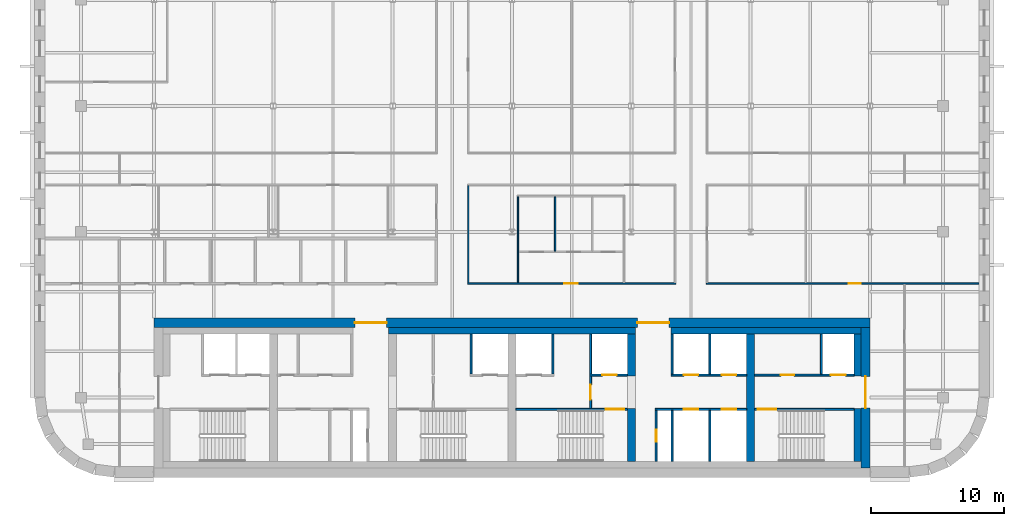
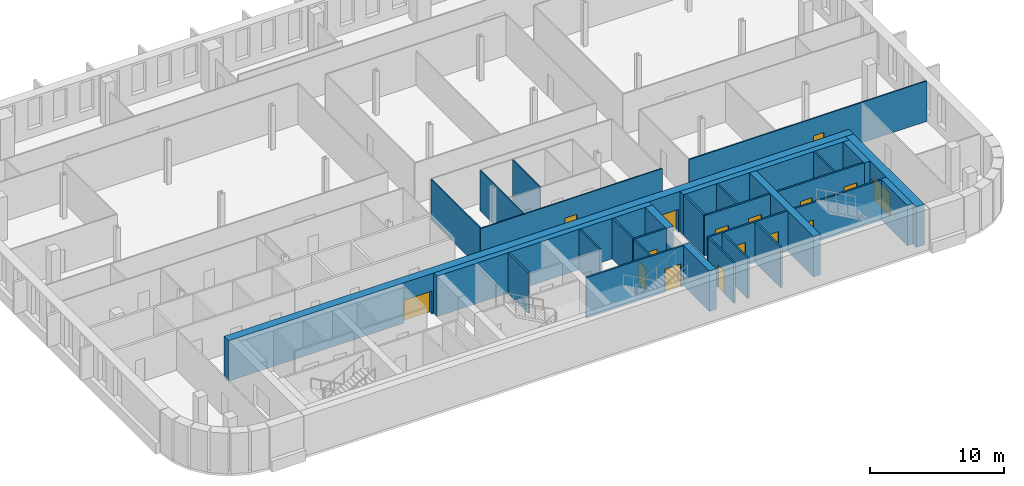
# One storey, part 8 of 15: 30 walls, 16 doors, 16 openings.
"""IFC4 building model written with IfcOpenShell, lengths in metres."""

from ifc_helpers import new_model, si_unit, direction, frame, frame_2d, origin, place, context, subcontext, project, spatial, rectangle, extrude, material, layer, layer_set, type_object, element, fill, save


model = new_model("IFC4")

# Units and contexts
model_context = context("Model", 3, precision=1e-05, world=origin(), true_north=direction((0.0, 1.0)))
body_context = subcontext(model_context, "Body", "Model", "MODEL_VIEW")
ifc_project = project(units=[si_unit("LENGTHUNIT", "METRE"), si_unit("AREAUNIT", "SQUARE_METRE"), si_unit("VOLUMEUNIT", "CUBIC_METRE"), si_unit("PLANEANGLEUNIT", "RADIAN"), si_unit("MASSUNIT", "GRAM", prefix="KILO")], contexts=[model_context])

# Site, building, storey
site_placement = place(None, origin())
site = spatial("IfcSite", under=ifc_project, at=site_placement, CompositionType="ELEMENT")
building_placement = place(site_placement, origin())
building = spatial("IfcBuilding", under=site, at=building_placement, Name="Zellij Exchange Tower", CompositionType="ELEMENT")
storey_placement = place(building_placement, frame((0.0, 0.0, 260.5)))
storey = spatial("IfcBuildingStorey", under=building, at=storey_placement, Name="L61", CompositionType="ELEMENT", Elevation=260.5)

# Walls
ifc_material_1 = material(Name="Concrete C50/60", Category="concrete")
ifc_layer_1 = layer(ifc_material_1, 0.60009765625)
ifc_layer_set_1 = layer_set([ifc_layer_1], Name="Concrete C50/60")
wall_type_1 = type_object("IfcWallType", Name="CORE-CW 600 C50/60", PredefinedType="SHEAR", material=ifc_layer_set_1)
wall_1_placement = place(storey_placement, frame((9.0, -12.800048828125, 0.0), z_axis=(0.0, 0.0, 1.0), x_axis=(0.0, 1.0, 0.0)))
element("IfcWall", 1, at=wall_1_placement, inside=storey, type_object=wall_type_1, Name="Core cross wall pier x 9 a L61", PredefinedType="SHEAR", context=body_context, shape_type="SweptSolid", body=[
    extrude(rectangle(XDim=4.0, YDim=0.60009765625, at=frame_2d((2.0, 0.0))), origin(), (0.0, 0.0, 1.0), 3.699951171875),
])
wall_2_placement = place(storey_placement, frame((9.0, -6.375, 0.0), z_axis=(0.0, 0.0, 1.0), x_axis=(0.0, 1.0, 0.0)))
element("IfcWall", 2, at=wall_2_placement, inside=storey, type_object=wall_type_1, Name="Core cross wall pier x 9 b L61", PredefinedType="SHEAR", context=body_context, shape_type="SweptSolid", body=[
    extrude(rectangle(XDim=3.175048828125, YDim=0.60009765625, at=frame_2d((1.58740234375, 0.0))), origin(), (0.0, 0.0, 1.0), 3.699951171875),
])
wall_3_placement = place(storey_placement, frame((18.0, -12.800048828125, 0.0), z_axis=(0.0, 0.0, 1.0), x_axis=(0.0, 1.0, 0.0)))
element("IfcWall", 3, at=wall_3_placement, inside=storey, type_object=wall_type_1, Name="Core cross wall x 18 L61", PredefinedType="SHEAR", context=body_context, shape_type="SweptSolid", body=[
    extrude(rectangle(XDim=9.60009765625, YDim=0.60009765625, at=frame_2d((4.800048828125, 0.0))), origin(), (0.0, 0.0, 1.0), 3.699951171875),
])
ifc_material_2 = material(Name="Concrete C30/37", Category="concrete")
ifc_layer_2 = layer(ifc_material_2, 0.5)
ifc_layer_set_2 = layer_set([ifc_layer_2], Name="Concrete C30/37")
wall_type_2 = type_object("IfcWallType", Name="CORE-LW 500 C30/37", PredefinedType="SHEAR", material=ifc_layer_set_2)
wall_4_placement = place(storey_placement, frame((-9.300048828125, -2.949951171875, 0.0), z_axis=(0.0, 0.0, 1.0), x_axis=(1.0, 0.0, 0.0)))
element("IfcWall", 4, at=wall_4_placement, inside=storey, type_object=wall_type_2, Name="Core wall lining front.1 L61", PredefinedType="SHEAR", context=body_context, shape_type="SweptSolid", body=[
    extrude(rectangle(XDim=18.60009765625, YDim=0.5, at=frame_2d((9.300048828125, 0.0))), origin(), (0.0, 0.0, 1.0), 3.699951171875),
])
wall_5_placement = place(storey_placement, frame((12.0, -2.949951171875, 0.0), z_axis=(0.0, 0.0, 1.0), x_axis=(1.0, 0.0, 0.0)))
element("IfcWall", 5, at=wall_5_placement, inside=storey, type_object=wall_type_2, Name="Core wall lining front.2 L61", PredefinedType="SHEAR", context=body_context, shape_type="SweptSolid", body=[
    extrude(rectangle(XDim=14.300048828125, YDim=0.5, at=frame_2d((7.14990234375, 0.0))), origin(), (0.0, 0.0, 1.0), 3.699951171875),
])
wall_6_placement = place(storey_placement, frame((26.050048828125, -12.800048828125, 0.0), z_axis=(0.0, 0.0, 1.0), x_axis=(0.0, 1.0, 0.0)))
element("IfcWall", 6, at=wall_6_placement, inside=storey, type_object=wall_type_2, Name="Core wall lining end e.0 L61", PredefinedType="SHEAR", context=body_context, shape_type="SweptSolid", body=[
    extrude(rectangle(XDim=4.0, YDim=0.5, at=frame_2d((2.0, 0.0))), origin(), (0.0, 0.0, 1.0), 3.699951171875),
])
wall_7_placement = place(storey_placement, frame((26.050048828125, -6.375, 0.0), z_axis=(0.0, 0.0, 1.0), x_axis=(0.0, 1.0, 0.0)))
element("IfcWall", 7, at=wall_7_placement, inside=storey, type_object=wall_type_2, Name="Core wall lining end e.1 L61", PredefinedType="SHEAR", context=body_context, shape_type="SweptSolid", body=[
    extrude(rectangle(XDim=3.175048828125, YDim=0.5, at=frame_2d((1.58740234375, 0.0))), origin(), (0.0, 0.0, 1.0), 3.699951171875),
])

# Wall, opening, door
ifc_material_3 = material(Name="Gypsum shaft wall system")
ifc_layer_3 = layer(ifc_material_3, 0.14990234375)
ifc_layer_set_3 = layer_set([ifc_layer_3], Name="Gypsum shaft wall system")
wall_type_3 = type_object("IfcWallType", Name="CORE-PW 150 Firefighting lobby wall", PredefinedType="PARTITIONING", material=ifc_layer_set_3)
wall_8_placement = place(storey_placement, frame((5.925048828125, -8.800048828125, 0.0), z_axis=(0.0, 0.0, 1.0), x_axis=(0.0, 1.0, 0.0)))
wall_8 = element("IfcWall", 8, at=wall_8_placement, inside=storey, type_object=wall_type_3, Name="Firefighting lobby wall L61", PredefinedType="PARTITIONING", context=body_context, shape_type="SweptSolid", body=[
    extrude(rectangle(XDim=2.425048828125, YDim=0.14990234375, at=frame_2d((1.21240234375, 0.0))), origin(), (0.0, 0.0, 1.0), 3.699951171875),
])
opening_1_placement = place(wall_8_placement, frame((0.662109375, 0.0, 0.0)))
opening_1 = element("IfcOpeningElement", 9, at=opening_1_placement, cuts=wall_8, Name="Opening CA-31.15", PredefinedType="OPENING", context=body_context, shape_type="SweptSolid", body=[
    extrude(rectangle(XDim=1.10009765625, YDim=2.10009765625, at=frame_2d((0.550048828125, 1.050048828125))), frame((0.0, 0.0869140625, 0.0), z_axis=(0.0, -1.0, 0.0), x_axis=(1.0, 0.0, 0.0)), (0.0, 0.0, 1.0), 0.173828125),
])
ifc_material_4 = material(Name="Hollow metal fire door")
door_type_1 = type_object("IfcDoorType", Name="CORE-D F Firefighting lobby door 1100x2100 1 HR", OperationType="NOTDEFINED", PredefinedType="DOOR", material=ifc_material_4)
door_1_placement = place(opening_1_placement, origin())
door_1 = element("IfcDoor", 10, at=door_1_placement, inside=storey, type_object=door_type_1, Name="Firefighting lobby door CA-31.15", OperationType="SINGLE_SWING_RIGHT", OverallHeight=2.10009765625, OverallWidth=1.10009765625, PredefinedType="DOOR", context=body_context, shape_type="SweptSolid", body=[
    extrude(rectangle(XDim=1.10009765625, YDim=2.10009765625, at=frame_2d((0.550048828125, 1.050048828125))), frame((0.0, 0.02490234375, 0.0), z_axis=(0.0, -1.0, 0.0), x_axis=(1.0, 0.0, 0.0)), (0.0, 0.0, 1.0), 0.050048828125),
])
fill(opening_1, door_1)

ifc_material_5 = material(Name="Gypsum board partition")
ifc_layer_4 = layer(ifc_material_5, 0.14990234375)
ifc_layer_set_4 = layer_set([ifc_layer_4], Name="Gypsum board partition")
wall_type_4 = type_object("IfcWallType", Name="CORE-PW 150 Lift lobby wall", PredefinedType="PARTITIONING", material=ifc_layer_set_4)
wall_9_placement = place(storey_placement, frame((10.875, -12.800048828125, 0.0), z_axis=(0.0, 0.0, 1.0), x_axis=(0.0, 1.0, 0.0)))
wall_9 = element("IfcWall", 11, at=wall_9_placement, inside=storey, type_object=wall_type_4, Name="Lift lobby wall L61", PredefinedType="PARTITIONING", context=body_context, shape_type="SweptSolid", body=[
    extrude(rectangle(XDim=3.85009765625, YDim=0.14990234375, at=frame_2d((1.925048828125, 0.0))), origin(), (0.0, 0.0, 1.0), 3.699951171875),
])
opening_2_placement = place(wall_9_placement, frame((1.47509765625, 0.0, 0.0)))
opening_2 = element("IfcOpeningElement", 12, at=opening_2_placement, cuts=wall_9, Name="Opening CA-31.19", PredefinedType="OPENING", context=body_context, shape_type="SweptSolid", body=[
    extrude(rectangle(XDim=0.89990234375, YDim=2.10009765625, at=frame_2d((0.449951171875, 1.050048828125))), frame((0.0, 0.0869140625, 0.0), z_axis=(0.0, -1.0, 0.0), x_axis=(1.0, 0.0, 0.0)), (0.0, 0.0, 1.0), 0.173828125),
])
door_type_2 = type_object("IfcDoorType", Name="CORE-D RD Riser door 900x2100 1.5 HR", OperationType="NOTDEFINED", PredefinedType="DOOR", material=ifc_material_4)
door_2_placement = place(opening_2_placement, origin())
door_2 = element("IfcDoor", 13, at=door_2_placement, inside=storey, type_object=door_type_2, Name="Riser door CA-31.19", OperationType="SINGLE_SWING_LEFT", OverallHeight=2.10009765625, OverallWidth=0.89990234375, PredefinedType="DOOR", context=body_context, shape_type="SweptSolid", body=[
    extrude(rectangle(XDim=0.89990234375, YDim=2.10009765625, at=frame_2d((0.449951171875, 1.050048828125))), frame((0.0, 0.02490234375, 0.0), z_axis=(0.0, -1.0, 0.0), x_axis=(1.0, 0.0, 0.0)), (0.0, 0.0, 1.0), 0.050048828125),
])
fill(opening_2, door_2)

# Walls
ifc_layer_5 = layer(ifc_material_3, 0.14990234375)
ifc_layer_set_5 = layer_set([ifc_layer_5], Name="Gypsum shaft wall system")
wall_type_5 = type_object("IfcWallType", Name="CORE-PW 150 Lift shaft wall", PredefinedType="PARTITIONING", material=ifc_layer_set_5)
for number, where, z_axis, x_axis, name in (
    (14, (-3.074951171875, -6.22509765625, 0.0), (0.0, 0.0, 1.0), (0.0, 1.0, 0.0), "Lift shaft wall L61"),
    (15, (3.074951171875, -6.22509765625, 0.0), (0.0, 0.0, 1.0), (0.0, 1.0, 0.0), "Lift shaft wall L61"),
    (16, (5.925048828125, -6.22509765625, 0.0), (0.0, 0.0, 1.0), (0.0, 1.0, 0.0), "Lift shaft wall L61"),
    (17, (12.074951171875, -6.22509765625, 0.0), (0.0, 0.0, 1.0), (0.0, 1.0, 0.0), "Lift shaft wall L61"),
    (18, (14.925048828125, -6.22509765625, 0.0), (0.0, 0.0, 1.0), (0.0, 1.0, 0.0), "Lift shaft wall L61"),
    (19, (23.324951171875, -6.22509765625, 0.0), (0.0, 0.0, 1.0), (0.0, 1.0, 0.0), "Lift shaft wall L61"),
):
    element("IfcWall", number, at=place(storey_placement, frame(where, z_axis=z_axis, x_axis=x_axis)), inside=storey, type_object=wall_type_5, Name=name, PredefinedType="PARTITIONING", context=body_context, shape_type="SweptSolid", body=[
        extrude(rectangle(XDim=3.025146484375, YDim=0.14990234375, at=frame_2d((1.5126953125, 0.0))), origin(), (0.0, 0.0, 1.0), 3.699951171875),
    ])
for number, where, z_axis, x_axis, name in (
    (20, (12.074951171875, -12.800048828125, 0.0), (0.0, 0.0, 1.0), (0.0, 1.0, 0.0), "Lift shaft wall L61"),
    (21, (14.925048828125, -12.800048828125, 0.0), (0.0, 0.0, 1.0), (0.0, 1.0, 0.0), "Lift shaft wall L61"),
):
    element("IfcWall", number, at=place(storey_placement, frame(where, z_axis=z_axis, x_axis=x_axis)), inside=storey, type_object=wall_type_5, Name=name, PredefinedType="PARTITIONING", context=body_context, shape_type="SweptSolid", body=[
        extrude(rectangle(XDim=3.85009765625, YDim=0.14990234375, at=frame_2d((1.925048828125, 0.0))), origin(), (0.0, 0.0, 1.0), 3.699951171875),
    ])

# Wall, opening, door
wall_10_placement = place(storey_placement, frame((5.85009765625, -6.300048828125, 0.0), z_axis=(0.0, 0.0, 1.0), x_axis=(1.0, 0.0, 0.0)))
wall_10 = element("IfcWall", 22, at=wall_10_placement, inside=storey, type_object=wall_type_5, Name="Lift shaft wall L61", PredefinedType="PARTITIONING", context=body_context, shape_type="SweptSolid", body=[
    extrude(rectangle(XDim=2.849853515625, YDim=0.14990234375, at=frame_2d((1.4248046875, 0.0))), origin(), (0.0, 0.0, 1.0), 3.699951171875),
])
opening_3_placement = place(wall_10_placement, frame((0.949951171875, 0.0, 0.0)))
opening_3 = element("IfcOpeningElement", 23, at=opening_3_placement, cuts=wall_10, Name="Opening CA-31.16", PredefinedType="OPENING", context=body_context, shape_type="SweptSolid", body=[
    extrude(rectangle(XDim=1.10009765625, YDim=2.10009765625, at=frame_2d((0.550048828125, 1.050048828125))), frame((0.0, 0.0869140625, 0.0), z_axis=(0.0, -1.0, 0.0), x_axis=(1.0, 0.0, 0.0)), (0.0, 0.0, 1.0), 0.173828125),
])
door_type_3 = type_object("IfcDoorType", Name="CORE-D LD Lift landing door 1100x2100 1.5 HR", OperationType="NOTDEFINED", PredefinedType="DOOR", material=ifc_material_4)
door_3_placement = place(opening_3_placement, origin())
door_3 = element("IfcDoor", 24, at=door_3_placement, inside=storey, type_object=door_type_3, Name="Lift landing door CA-31.16", OperationType="SLIDING_TO_RIGHT", OverallHeight=2.10009765625, OverallWidth=1.10009765625, PredefinedType="DOOR", context=body_context, shape_type="SweptSolid", body=[
    extrude(rectangle(XDim=1.10009765625, YDim=2.10009765625, at=frame_2d((0.550048828125, 1.050048828125))), frame((0.0, 0.02490234375, 0.0), z_axis=(0.0, -1.0, 0.0), x_axis=(1.0, 0.0, 0.0)), (0.0, 0.0, 1.0), 0.050048828125),
])
fill(opening_3, door_3)

# Wall, openings, doors
wall_11_placement = place(storey_placement, frame((12.0, -6.300048828125, 0.0), z_axis=(0.0, 0.0, 1.0), x_axis=(1.0, 0.0, 0.0)))
wall_11 = element("IfcWall", 25, at=wall_11_placement, inside=storey, type_object=wall_type_5, Name="Lift shaft wall L61", PredefinedType="PARTITIONING", context=body_context, shape_type="SweptSolid", body=[
    extrude(rectangle(XDim=5.699951171875, YDim=0.14990234375, at=frame_2d((2.85009765625, 0.0))), origin(), (0.0, 0.0, 1.0), 3.699951171875),
])
opening_4_placement = place(wall_11_placement, frame((0.949951171875, 0.0, 0.0)))
opening_4 = element("IfcOpeningElement", 26, at=opening_4_placement, cuts=wall_11, Name="Opening CA-31.21", PredefinedType="OPENING", context=body_context, shape_type="SweptSolid", body=[
    extrude(rectangle(XDim=1.10009765625, YDim=2.10009765625, at=frame_2d((0.550048828125, 1.050048828125))), frame((0.0, 0.0869140625, 0.0), z_axis=(0.0, -1.0, 0.0), x_axis=(1.0, 0.0, 0.0)), (0.0, 0.0, 1.0), 0.173828125),
])
opening_5_placement = place(wall_11_placement, frame((3.800048828125, 0.0, 0.0)))
opening_5 = element("IfcOpeningElement", 27, at=opening_5_placement, cuts=wall_11, Name="Opening CA-31.23", PredefinedType="OPENING", context=body_context, shape_type="SweptSolid", body=[
    extrude(rectangle(XDim=1.10009765625, YDim=2.10009765625, at=frame_2d((0.550048828125, 1.050048828125))), frame((0.0, 0.0869140625, 0.0), z_axis=(0.0, -1.0, 0.0), x_axis=(1.0, 0.0, 0.0)), (0.0, 0.0, 1.0), 0.173828125),
])
door_4_placement = place(opening_4_placement, origin())
door_4 = element("IfcDoor", 28, at=door_4_placement, inside=storey, type_object=door_type_3, Name="Lift landing door CA-31.21", OperationType="SLIDING_TO_LEFT", OverallHeight=2.10009765625, OverallWidth=1.10009765625, PredefinedType="DOOR", context=body_context, shape_type="SweptSolid", body=[
    extrude(rectangle(XDim=1.10009765625, YDim=2.10009765625, at=frame_2d((0.550048828125, 1.050048828125))), frame((0.0, 0.02490234375, 0.0), z_axis=(0.0, -1.0, 0.0), x_axis=(1.0, 0.0, 0.0)), (0.0, 0.0, 1.0), 0.050048828125),
])
fill(opening_4, door_4)
door_5_placement = place(opening_5_placement, origin())
door_5 = element("IfcDoor", 29, at=door_5_placement, inside=storey, type_object=door_type_3, Name="Lift landing door CA-31.23", OperationType="SLIDING_TO_LEFT", OverallHeight=2.10009765625, OverallWidth=1.10009765625, PredefinedType="DOOR", context=body_context, shape_type="SweptSolid", body=[
    extrude(rectangle(XDim=1.10009765625, YDim=2.10009765625, at=frame_2d((0.550048828125, 1.050048828125))), frame((0.0, 0.02490234375, 0.0), z_axis=(0.0, -1.0, 0.0), x_axis=(1.0, 0.0, 0.0)), (0.0, 0.0, 1.0), 0.050048828125),
])
fill(opening_5, door_5)

wall_12_placement = place(storey_placement, frame((18.300048828125, -6.300048828125, 0.0), z_axis=(0.0, 0.0, 1.0), x_axis=(1.0, 0.0, 0.0)))
wall_12 = element("IfcWall", 30, at=wall_12_placement, inside=storey, type_object=wall_type_5, Name="Lift shaft wall L61", PredefinedType="PARTITIONING", context=body_context, shape_type="SweptSolid", body=[
    extrude(rectangle(XDim=7.5, YDim=0.14990234375, at=frame_2d((3.75, 0.0))), origin(), (0.0, 0.0, 1.0), 3.699951171875),
])
opening_6_placement = place(wall_12_placement, frame((1.97509765625, 0.0, 0.0)))
opening_6 = element("IfcOpeningElement", 31, at=opening_6_placement, cuts=wall_12, Name="Opening CA-31.25", PredefinedType="OPENING", context=body_context, shape_type="SweptSolid", body=[
    extrude(rectangle(XDim=1.0, YDim=2.10009765625, at=frame_2d((0.5, 1.050048828125))), frame((0.0, 0.0869140625, 0.0), z_axis=(0.0, -1.0, 0.0), x_axis=(1.0, 0.0, 0.0)), (0.0, 0.0, 1.0), 0.173828125),
])
opening_7_placement = place(wall_12_placement, frame((5.75, 0.0, 0.0)))
opening_7 = element("IfcOpeningElement", 32, at=opening_7_placement, cuts=wall_12, Name="Opening CA-31.26", PredefinedType="OPENING", context=body_context, shape_type="SweptSolid", body=[
    extrude(rectangle(XDim=1.10009765625, YDim=2.10009765625, at=frame_2d((0.550048828125, 1.050048828125))), frame((0.0, 0.0869140625, 0.0), z_axis=(0.0, -1.0, 0.0), x_axis=(1.0, 0.0, 0.0)), (0.0, 0.0, 1.0), 0.173828125),
])
door_type_4 = type_object("IfcDoorType", Name="CORE-D CD Core room door 1000x2100 1 HR", OperationType="NOTDEFINED", PredefinedType="DOOR", material=ifc_material_4)
door_6_placement = place(opening_6_placement, origin())
door_6 = element("IfcDoor", 33, at=door_6_placement, inside=storey, type_object=door_type_4, Name="Core room door CA-31.25", OperationType="SINGLE_SWING_LEFT", OverallHeight=2.10009765625, OverallWidth=1.0, PredefinedType="DOOR", context=body_context, shape_type="SweptSolid", body=[
    extrude(rectangle(XDim=1.0, YDim=2.10009765625, at=frame_2d((0.5, 1.050048828125))), frame((0.0, 0.02490234375, 0.0), z_axis=(0.0, -1.0, 0.0), x_axis=(1.0, 0.0, 0.0)), (0.0, 0.0, 1.0), 0.050048828125),
])
fill(opening_6, door_6)
door_7_placement = place(opening_7_placement, origin())
door_7 = element("IfcDoor", 34, at=door_7_placement, inside=storey, type_object=door_type_3, Name="Lift landing door CA-31.26", OperationType="SLIDING_TO_RIGHT", OverallHeight=2.10009765625, OverallWidth=1.10009765625, PredefinedType="DOOR", context=body_context, shape_type="SweptSolid", body=[
    extrude(rectangle(XDim=1.10009765625, YDim=2.10009765625, at=frame_2d((0.550048828125, 1.050048828125))), frame((0.0, 0.02490234375, 0.0), z_axis=(0.0, -1.0, 0.0), x_axis=(1.0, 0.0, 0.0)), (0.0, 0.0, 1.0), 0.050048828125),
])
fill(opening_7, door_7)

wall_13_placement = place(storey_placement, frame((10.800048828125, -8.875, 0.0), z_axis=(0.0, 0.0, 1.0), x_axis=(1.0, 0.0, 0.0)))
wall_13 = element("IfcWall", 35, at=wall_13_placement, inside=storey, type_object=wall_type_5, Name="Lift shaft wall L61", PredefinedType="PARTITIONING", context=body_context, shape_type="SweptSolid", body=[
    extrude(rectangle(XDim=6.89990234375, YDim=0.14990234375, at=frame_2d((3.449951171875, 0.0))), origin(), (0.0, 0.0, 1.0), 3.699951171875),
])
opening_8_placement = place(wall_13_placement, frame((2.14990234375, 0.0, 0.0)))
opening_8 = element("IfcOpeningElement", 36, at=opening_8_placement, cuts=wall_13, Name="Opening CA-31.20", PredefinedType="OPENING", context=body_context, shape_type="SweptSolid", body=[
    extrude(rectangle(XDim=1.10009765625, YDim=2.10009765625, at=frame_2d((0.550048828125, 1.050048828125))), frame((0.0, 0.0869140625, 0.0), z_axis=(0.0, -1.0, 0.0), x_axis=(1.0, 0.0, 0.0)), (0.0, 0.0, 1.0), 0.173828125),
])
opening_9_placement = place(wall_13_placement, frame((5.0, 0.0, 0.0)))
opening_9 = element("IfcOpeningElement", 37, at=opening_9_placement, cuts=wall_13, Name="Opening CA-31.22", PredefinedType="OPENING", context=body_context, shape_type="SweptSolid", body=[
    extrude(rectangle(XDim=1.10009765625, YDim=2.10009765625, at=frame_2d((0.550048828125, 1.050048828125))), frame((0.0, 0.0869140625, 0.0), z_axis=(0.0, -1.0, 0.0), x_axis=(1.0, 0.0, 0.0)), (0.0, 0.0, 1.0), 0.173828125),
])
door_8_placement = place(opening_8_placement, origin())
door_8 = element("IfcDoor", 38, at=door_8_placement, inside=storey, type_object=door_type_3, Name="Lift landing door CA-31.20", OperationType="SLIDING_TO_RIGHT", OverallHeight=2.10009765625, OverallWidth=1.10009765625, PredefinedType="DOOR", context=body_context, shape_type="SweptSolid", body=[
    extrude(rectangle(XDim=1.10009765625, YDim=2.10009765625, at=frame_2d((0.550048828125, 1.050048828125))), frame((0.0, 0.02490234375, 0.0), z_axis=(0.0, -1.0, 0.0), x_axis=(1.0, 0.0, 0.0)), (0.0, 0.0, 1.0), 0.050048828125),
])
fill(opening_8, door_8)
door_9_placement = place(opening_9_placement, origin())
door_9 = element("IfcDoor", 39, at=door_9_placement, inside=storey, type_object=door_type_3, Name="Lift landing door CA-31.22", OperationType="SLIDING_TO_RIGHT", OverallHeight=2.10009765625, OverallWidth=1.10009765625, PredefinedType="DOOR", context=body_context, shape_type="SweptSolid", body=[
    extrude(rectangle(XDim=1.10009765625, YDim=2.10009765625, at=frame_2d((0.550048828125, 1.050048828125))), frame((0.0, 0.02490234375, 0.0), z_axis=(0.0, -1.0, 0.0), x_axis=(1.0, 0.0, 0.0)), (0.0, 0.0, 1.0), 0.050048828125),
])
fill(opening_9, door_9)

ifc_layer_6 = layer(ifc_material_1, 0.699951171875)
ifc_layer_set_6 = layer_set([ifc_layer_6], Name="Concrete C50/60")
wall_type_6 = type_object("IfcWallType", Name="CORE-SW 700 C50/60", PredefinedType="SHEAR", material=ifc_layer_set_6)
wall_14_placement = place(storey_placement, frame((-27.0, -2.35009765625, 0.0), z_axis=(0.0, 0.0, 1.0), x_axis=(1.0, 0.0, 0.0)))
wall_14 = element("IfcWall", 40, at=wall_14_placement, inside=storey, type_object=wall_type_6, Name="Core shear wall front L61", PredefinedType="SHEAR", context=body_context, shape_type="SweptSolid", body=[
    extrude(rectangle(XDim=54.0, YDim=0.699951171875, at=frame_2d((27.0, 0.0))), origin(), (0.0, 0.0, 1.0), 3.699951171875),
])
opening_10_placement = place(wall_14_placement, frame((15.14990234375, 0.0, 0.0)))
opening_10 = element("IfcOpeningElement", 41, at=opening_10_placement, cuts=wall_14, Name="Opening CA-31.10", PredefinedType="OPENING", context=body_context, shape_type="SweptSolid", body=[
    extrude(rectangle(XDim=2.39990234375, YDim=2.10009765625, at=frame_2d((1.199951171875, 1.050048828125))), frame((0.0, 0.36181640625, 0.0), z_axis=(0.0, -1.0, 0.0), x_axis=(1.0, 0.0, 0.0)), (0.0, 0.0, 1.0), 0.723876953125),
])
opening_11_placement = place(wall_14_placement, frame((36.449951171875, 0.0, 0.0)))
opening_11 = element("IfcOpeningElement", 42, at=opening_11_placement, cuts=wall_14, Name="Opening CA-31.18", PredefinedType="OPENING", context=body_context, shape_type="SweptSolid", body=[
    extrude(rectangle(XDim=2.39990234375, YDim=2.10009765625, at=frame_2d((1.199951171875, 1.050048828125))), frame((0.0, 0.36181640625, 0.0), z_axis=(0.0, -1.0, 0.0), x_axis=(1.0, 0.0, 0.0)), (0.0, 0.0, 1.0), 0.723876953125),
])
door_type_5 = type_object("IfcDoorType", Name="CORE-D CE Core entrance door 2400x2100 20 MIN", OperationType="NOTDEFINED", PredefinedType="DOOR", material=ifc_material_4)
door_10_placement = place(opening_10_placement, origin())
door_10 = element("IfcDoor", 43, at=door_10_placement, inside=storey, type_object=door_type_5, Name="Core entrance door CA-31.10", OperationType="DOUBLE_DOOR_SINGLE_SWING", OverallHeight=2.10009765625, OverallWidth=2.39990234375, PredefinedType="DOOR", context=body_context, shape_type="SweptSolid", body=[
    extrude(rectangle(XDim=2.39990234375, YDim=2.10009765625, at=frame_2d((1.199951171875, 1.050048828125))), frame((0.0, 0.02490234375, 0.0), z_axis=(0.0, -1.0, 0.0), x_axis=(1.0, 0.0, 0.0)), (0.0, 0.0, 1.0), 0.050048828125),
])
fill(opening_10, door_10)
door_11_placement = place(opening_11_placement, origin())
door_11 = element("IfcDoor", 44, at=door_11_placement, inside=storey, type_object=door_type_5, Name="Core entrance door CA-31.18", OperationType="DOUBLE_DOOR_SINGLE_SWING", OverallHeight=2.10009765625, OverallWidth=2.39990234375, PredefinedType="DOOR", context=body_context, shape_type="SweptSolid", body=[
    extrude(rectangle(XDim=2.39990234375, YDim=2.10009765625, at=frame_2d((1.199951171875, 1.050048828125))), frame((0.0, 0.02490234375, 0.0), z_axis=(0.0, -1.0, 0.0), x_axis=(1.0, 0.0, 0.0)), (0.0, 0.0, 1.0), 0.050048828125),
])
fill(opening_11, door_11)

# Wall, opening, door
wall_15_placement = place(storey_placement, frame((26.64990234375, -13.300048828125, 0.0), z_axis=(0.0, 0.0, 1.0), x_axis=(0.0, 1.0, 0.0)))
wall_15 = element("IfcWall", 45, at=wall_15_placement, inside=storey, type_object=wall_type_6, Name="Core shear wall end e L61", PredefinedType="SHEAR", context=body_context, shape_type="SweptSolid", body=[
    extrude(rectangle(XDim=10.60009765625, YDim=0.699951171875, at=frame_2d((5.300048828125, 0.0))), origin(), (0.0, 0.0, 1.0), 3.699951171875),
])
opening_12_placement = place(wall_15_placement, frame((4.511962890625, 0.0, 0.0)))
opening_12 = element("IfcOpeningElement", 46, at=opening_12_placement, cuts=wall_15, Name="Opening CA-31.27", PredefinedType="OPENING", context=body_context, shape_type="SweptSolid", body=[
    extrude(rectangle(XDim=2.39990234375, YDim=2.10009765625, at=frame_2d((1.199951171875, 1.050048828125))), frame((0.0, 0.36181640625, 0.0), z_axis=(0.0, -1.0, 0.0), x_axis=(1.0, 0.0, 0.0)), (0.0, 0.0, 1.0), 0.723876953125),
])
door_12_placement = place(opening_12_placement, origin())
door_12 = element("IfcDoor", 47, at=door_12_placement, inside=storey, type_object=door_type_5, Name="Core entrance door CA-31.27", OperationType="DOUBLE_DOOR_SINGLE_SWING", OverallHeight=2.10009765625, OverallWidth=2.39990234375, PredefinedType="DOOR", context=body_context, shape_type="SweptSolid", body=[
    extrude(rectangle(XDim=2.39990234375, YDim=2.10009765625, at=frame_2d((1.199951171875, 1.050048828125))), frame((0.0, 0.02490234375, 0.0), z_axis=(0.0, -1.0, 0.0), x_axis=(1.0, 0.0, 0.0)), (0.0, 0.0, 1.0), 0.050048828125),
])
fill(opening_12, door_12)

ifc_layer_7 = layer(ifc_material_1, 0.14990234375)
ifc_layer_set_7 = layer_set([ifc_layer_7], Name="Concrete C50/60")
wall_type_7 = type_object("IfcWallType", Name="CORE-SWS 150 C50/60", PredefinedType="SHEAR", material=ifc_layer_set_7)
wall_16_placement = place(storey_placement, frame((0.300048828125, -8.875, 0.0), z_axis=(0.0, 0.0, 1.0), x_axis=(1.0, 0.0, 0.0)))
wall_16 = element("IfcWall", 48, at=wall_16_placement, inside=storey, type_object=wall_type_7, Name="Stair enclosure wall L61", PredefinedType="SHEAR", context=body_context, shape_type="SweptSolid", body=[
    extrude(rectangle(XDim=8.39990234375, YDim=0.14990234375, at=frame_2d((4.199951171875, 0.0))), origin(), (0.0, 0.0, 1.0), 3.699951171875),
])
opening_13_placement = place(wall_16_placement, frame((6.77490234375, 0.0, 0.0)))
opening_13 = element("IfcOpeningElement", 49, at=opening_13_placement, cuts=wall_16, Name="Opening CA-31.17", PredefinedType="OPENING", context=body_context, shape_type="SweptSolid", body=[
    extrude(rectangle(XDim=1.39990234375, YDim=2.10009765625, at=frame_2d((0.699951171875, 1.050048828125))), frame((0.0, 0.0869140625, 0.0), z_axis=(0.0, -1.0, 0.0), x_axis=(1.0, 0.0, 0.0)), (0.0, 0.0, 1.0), 0.173828125),
])
door_type_6 = type_object("IfcDoorType", Name="CORE-D SD Stair door 1400x2100 1.5 HR", OperationType="NOTDEFINED", PredefinedType="DOOR", material=ifc_material_4)
door_13_placement = place(opening_13_placement, origin())
door_13 = element("IfcDoor", 50, at=door_13_placement, inside=storey, type_object=door_type_6, Name="Stair door CA-31.17", OperationType="DOUBLE_DOOR_SINGLE_SWING", OverallHeight=2.10009765625, OverallWidth=1.39990234375, PredefinedType="DOOR", context=body_context, shape_type="SweptSolid", body=[
    extrude(rectangle(XDim=1.39990234375, YDim=2.10009765625, at=frame_2d((0.699951171875, 1.050048828125))), frame((0.0, 0.02490234375, 0.0), z_axis=(0.0, -1.0, 0.0), x_axis=(1.0, 0.0, 0.0)), (0.0, 0.0, 1.0), 0.050048828125),
])
fill(opening_13, door_13)

wall_17_placement = place(storey_placement, frame((18.300048828125, -8.875, 0.0), z_axis=(0.0, 0.0, 1.0), x_axis=(1.0, 0.0, 0.0)))
wall_17 = element("IfcWall", 51, at=wall_17_placement, inside=storey, type_object=wall_type_7, Name="Stair enclosure wall L61", PredefinedType="SHEAR", context=body_context, shape_type="SweptSolid", body=[
    extrude(rectangle(XDim=7.5, YDim=0.14990234375, at=frame_2d((3.75, 0.0))), origin(), (0.0, 0.0, 1.0), 3.699951171875),
])
opening_14_placement = place(wall_17_placement, frame((0.22509765625, 0.0, 0.0)))
opening_14 = element("IfcOpeningElement", 52, at=opening_14_placement, cuts=wall_17, Name="Opening CA-31.24", PredefinedType="OPENING", context=body_context, shape_type="SweptSolid", body=[
    extrude(rectangle(XDim=1.39990234375, YDim=2.10009765625, at=frame_2d((0.699951171875, 1.050048828125))), frame((0.0, 0.0869140625, 0.0), z_axis=(0.0, -1.0, 0.0), x_axis=(1.0, 0.0, 0.0)), (0.0, 0.0, 1.0), 0.173828125),
])
door_14_placement = place(opening_14_placement, origin())
door_14 = element("IfcDoor", 53, at=door_14_placement, inside=storey, type_object=door_type_6, Name="Stair door CA-31.24", OperationType="DOUBLE_DOOR_SINGLE_SWING", OverallHeight=2.10009765625, OverallWidth=1.39990234375, PredefinedType="DOOR", context=body_context, shape_type="SweptSolid", body=[
    extrude(rectangle(XDim=1.39990234375, YDim=2.10009765625, at=frame_2d((0.699951171875, 1.050048828125))), frame((0.0, 0.02490234375, 0.0), z_axis=(0.0, -1.0, 0.0), x_axis=(1.0, 0.0, 0.0)), (0.0, 0.0, 1.0), 0.050048828125),
])
fill(opening_14, door_14)

ifc_material_6 = material(Name="Gypsum board partition on steel studs", Category="steel")
ifc_layer_8 = layer(ifc_material_6, 0.10009765625)
ifc_layer_set_8 = layer_set([ifc_layer_8], Name="Gypsum board partition on steel studs")
wall_type_8 = type_object("IfcWallType", Name="FIT-PARTITION-100", PredefinedType="PARTITIONING", material=ifc_layer_set_8)
wall_18_placement = place(storey_placement, frame((-3.35009765625, 0.60009765625, 0.0), z_axis=(0.0, 0.0, 1.0), x_axis=(1.0, 0.0, 0.0)))
wall_18 = element("IfcWall", 54, at=wall_18_placement, inside=storey, type_object=wall_type_8, Name="FIT-PARTITION-100 014", PredefinedType="PARTITIONING", context=body_context, shape_type="SweptSolid", body=[
    extrude(rectangle(XDim=15.7001953125, YDim=0.10009765625, at=frame_2d((7.85009765625, 0.0))), origin(), (0.0, 0.0, 1.0), 3.699951171875),
])
opening_15_placement = place(wall_18_placement, frame((7.300048828125, 0.0, 0.0)))
opening_15 = element("IfcOpeningElement", 55, at=opening_15_placement, cuts=wall_18, Name="Opening O4F.10", PredefinedType="OPENING", context=body_context, shape_type="SweptSolid", body=[
    extrude(rectangle(XDim=1.0, YDim=2.10009765625, at=frame_2d((0.5, 1.050048828125))), frame((0.0, 0.06201171875, 0.0), z_axis=(0.0, -1.0, 0.0), x_axis=(1.0, 0.0, 0.0)), (0.0, 0.0, 1.0), 0.1240234375),
])
ifc_material_7 = material(Name="Timber door set", Category="wood")
door_type_7 = type_object("IfcDoorType", Name="FIT-D2-WIDE-1000X2100", OperationType="SINGLE_SWING_LEFT", PredefinedType="DOOR", material=ifc_material_7)
door_15_placement = place(opening_15_placement, origin())
door_15 = element("IfcDoor", 56, at=door_15_placement, inside=storey, type_object=door_type_7, Name="Door O4F.10", OperationType="SINGLE_SWING_LEFT", OverallHeight=2.10009765625, OverallWidth=1.0, PredefinedType="DOOR", context=body_context, shape_type="SweptSolid", body=[
    extrude(rectangle(XDim=1.0, YDim=2.10009765625, at=frame_2d((0.5, 1.050048828125))), frame((0.0, 0.02490234375, 0.0), z_axis=(0.0, -1.0, 0.0), x_axis=(1.0, 0.0, 0.0)), (0.0, 0.0, 1.0), 0.050048828125),
])
fill(opening_15, door_15)

# Walls
wall_19_placement = place(storey_placement, frame((-3.300048828125, 0.64990234375, 0.0), z_axis=(0.0, 0.0, 1.0), x_axis=(0.0, 1.0, 0.0)))
element("IfcWall", 57, at=wall_19_placement, inside=storey, type_object=wall_type_8, Name="FIT-PARTITION-100 015", PredefinedType="PARTITIONING", context=body_context, shape_type="SweptSolid", body=[
    extrude(rectangle(XDim=7.35009765625, YDim=0.10009765625, at=frame_2d((3.675048828125, 0.0))), origin(), (0.0, 0.0, 1.0), 3.699951171875),
])
wall_20_placement = place(storey_placement, frame((0.449951171875, 0.64990234375, 0.0), z_axis=(0.0, 0.0, 1.0), x_axis=(0.0, 1.0, 0.0)))
element("IfcWall", 58, at=wall_20_placement, inside=storey, type_object=wall_type_8, Name="FIT-PARTITION-100 016", PredefinedType="PARTITIONING", context=body_context, shape_type="SweptSolid", body=[
    extrude(rectangle(XDim=6.5, YDim=0.10009765625, at=frame_2d((3.25, 0.0))), origin(), (0.0, 0.0, 1.0), 3.699951171875),
])

# Wall, opening, door
wall_21_placement = place(storey_placement, frame((14.64990234375, 0.60009765625, 0.0), z_axis=(0.0, 0.0, 1.0), x_axis=(1.0, 0.0, 0.0)))
wall_21 = element("IfcWall", 59, at=wall_21_placement, inside=storey, type_object=wall_type_8, Name="FIT-PARTITION-100 019", PredefinedType="PARTITIONING", context=body_context, shape_type="SweptSolid", body=[
    extrude(rectangle(XDim=20.550048828125, YDim=0.10009765625, at=frame_2d((10.27490234375, 0.0))), origin(), (0.0, 0.0, 1.0), 3.699951171875),
])
opening_16_placement = place(wall_21_placement, frame((10.75, 0.0, 0.0)))
opening_16 = element("IfcOpeningElement", 60, at=opening_16_placement, cuts=wall_21, Name="Opening O4F.11", PredefinedType="OPENING", context=body_context, shape_type="SweptSolid", body=[
    extrude(rectangle(XDim=0.89990234375, YDim=2.10009765625, at=frame_2d((0.449951171875, 1.050048828125))), frame((0.0, 0.06201171875, 0.0), z_axis=(0.0, -1.0, 0.0), x_axis=(1.0, 0.0, 0.0)), (0.0, 0.0, 1.0), 0.1240234375),
])
door_type_8 = type_object("IfcDoorType", Name="FIT-D1-ROOM-900X2100", OperationType="SINGLE_SWING_LEFT", PredefinedType="DOOR", material=ifc_material_7)
door_16_placement = place(opening_16_placement, origin())
door_16 = element("IfcDoor", 61, at=door_16_placement, inside=storey, type_object=door_type_8, Name="Door O4F.11", OperationType="SINGLE_SWING_RIGHT", OverallHeight=2.10009765625, OverallWidth=0.89990234375, PredefinedType="DOOR", context=body_context, shape_type="SweptSolid", body=[
    extrude(rectangle(XDim=0.89990234375, YDim=2.10009765625, at=frame_2d((0.449951171875, 1.050048828125))), frame((0.0, 0.02490234375, 0.0), z_axis=(0.0, -1.0, 0.0), x_axis=(1.0, 0.0, 0.0)), (0.0, 0.0, 1.0), 0.050048828125),
])
fill(opening_16, door_16)

# Wall
wall_22_placement = place(storey_placement, frame((3.25, 3.050048828125, 0.0), z_axis=(0.0, 0.0, 1.0), x_axis=(0.0, 1.0, 0.0)))
element("IfcWall", 62, at=wall_22_placement, inside=storey, type_object=wall_type_8, Name="FIT-PARTITION-100 023", PredefinedType="PARTITIONING", context=body_context, shape_type="SweptSolid", body=[
    extrude(rectangle(XDim=4.099853515625, YDim=0.10009765625, at=frame_2d((2.0498046875, 0.0))), origin(), (0.0, 0.0, 1.0), 3.699951171875),
])

save(model, "model.ifc")
